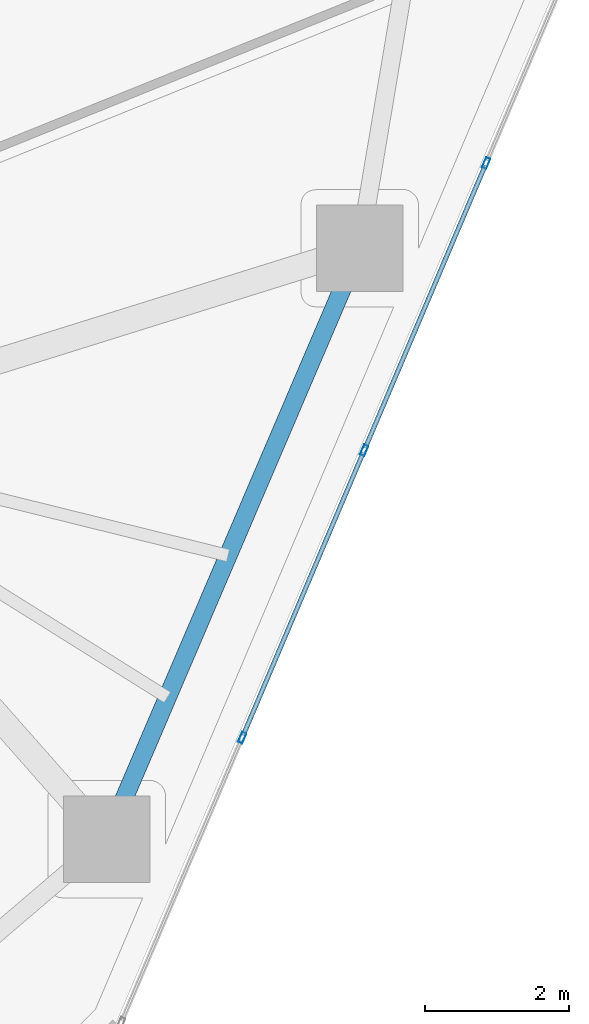
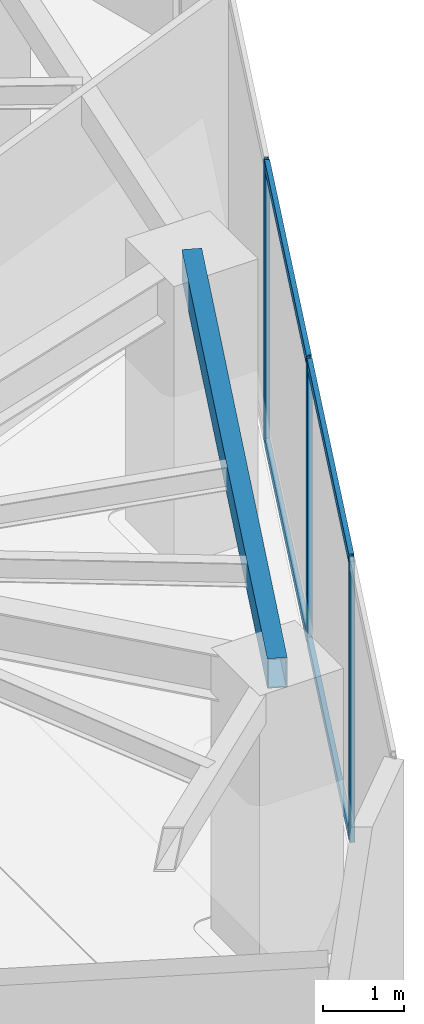
# One storey, part 15 of 28: 7 members, 1 beam, 1 element without a shape of its own.
"""IFC4 building model written with IfcOpenShell, lengths in metres."""

from ifc_helpers import new_model, si_unit, direction, frame, origin, origin_2d, place, context, subcontext, project, spatial, hollow_rectangle, extrude, source, transform, mapped, material, layer, layer_set, material_profile, profile_set, type_object, type_shapes, element, aggregate, save


model = new_model("IFC4")

# Units and contexts
model_context = context("Model", 3, precision=1e-05, world=origin(), true_north=direction((0.0, 1.0)))
body_context = subcontext(model_context, "Body", "Model", "MODEL_VIEW")
ifc_project = project(units=[si_unit("LENGTHUNIT", "METRE"), si_unit("AREAUNIT", "SQUARE_METRE"), si_unit("VOLUMEUNIT", "CUBIC_METRE"), si_unit("PLANEANGLEUNIT", "RADIAN"), si_unit("MASSUNIT", "GRAM", prefix="KILO")], contexts=[model_context])

# Site, building, storey
site_placement = place(None, origin())
site = spatial("IfcSite", under=ifc_project, at=site_placement, CompositionType="ELEMENT")
building_placement = place(site_placement, origin())
building = spatial("IfcBuilding", under=site, at=building_placement, Name="Talar Marvaseh", CompositionType="ELEMENT")
storey_placement = place(building_placement, frame((0.0, 0.0, 157.800048828125)))
storey = spatial("IfcBuildingStorey", under=building, at=storey_placement, Name="L41", CompositionType="ELEMENT", Elevation=157.800048828125)

# Beam
ifc_material_1 = material(Name="Steel S355", Category="steel")
ifc_material_profile_1 = material_profile(ifc_material_1, hollow_rectangle(XDim=0.25, YDim=0.449951171875, WallThickness=0.01611328125, at=origin_2d()), Name="RHS450x250x16")
ifc_profile_set_1 = profile_set([ifc_material_profile_1], Name="Steel S355")
beam_type = type_object("IfcBeamType", Name="Zone 2 Perimeter Spandrel Beam RHS450x250x16", PredefinedType="SPANDREL", material=ifc_profile_set_1)
beam_placement = place(storey_placement, frame((41.708984375, 28.1279296875, 4.02490234375), z_axis=(-0.393369955619, -0.919380268451, 0.0), x_axis=(0.919380268451, -0.393369955619, 0.0)))
element("IfcBeam", 1, at=beam_placement, inside=storey, type_object=beam_type, Name="L41 Zone 2 Perimeter Spandrel Beam RHS450x250x16", PredefinedType="SPANDREL", context=body_context, shape_type="SweptSolid", body=[
    extrude(hollow_rectangle(XDim=0.25, YDim=0.449951171875, WallThickness=0.01611328125, at=origin_2d()), origin(), (0.0, 0.0, 1.0), 8.905029296875),
])

# Curtain wall, members
ifc_material_2 = material(Name="Architectural Aluminium", Category="aluminium")
ifc_layer = layer(ifc_material_2, 0.239990234375)
ifc_layer_set = layer_set([ifc_layer], Name="Architectural Aluminium")
curtain_wall_type = type_object("IfcCurtainWallType", Name="Observation Sky Gallery Structural Glass Wall", PredefinedType="NOTDEFINED", material=ifc_layer_set)
curtain_wall_placement = place(storey_placement, origin())
curtain_wall = element("IfcCurtainWall", 2, at=curtain_wall_placement, inside=storey, type_object=curtain_wall_type, Name="L41 Observation Sky Gallery Structural Glass Wall", PredefinedType="NOTDEFINED")
ifc_material_profile_2 = material_profile(ifc_material_2, hollow_rectangle(XDim=0.06494140625, YDim=0.14990234375, WallThickness=0.00390625, at=origin_2d()), Name="RHS150x65x4")
ifc_profile_set_2 = profile_set([ifc_material_profile_2], Name="Architectural Aluminium")
member_type_1 = type_object("IfcMemberType", Name="Unitised Curtain Wall Slim Mullion RHS150x65x4", PredefinedType="MULLION", material=ifc_profile_set_2)
shared_shape_1 = source(origin(), body_context, "Body", "SweptSolid", [
    extrude(hollow_rectangle(XDim=0.06494140625, YDim=0.14990234375, WallThickness=0.00390625, at=origin_2d()), origin(), (0.0, 0.0, 1.0), 4.25),
])
type_shapes(member_type_1, [shared_shape_1])
member_1_placement = place(storey_placement, frame((43.462890625, 29.30859375, 0.0), z_axis=(0.0, 0.0, 1.0), x_axis=(0.920444238505, -0.390873897571, 0.0)))
member_1 = element("IfcMember", 3, at=member_1_placement, type_object=member_type_1, Name="CW-OBS mullion 3", PredefinedType="MULLION", context=body_context, shape_type="MappedRepresentation", body=[
    mapped(shared_shape_1, transform((0.0, 0.0, 0.0), x_axis=(1.0, 0.0, 0.0), y_axis=(0.0, 1.0, 0.0), z_axis=(0.0, 0.0, 1.0), scale=1.0)),
])
member_2_placement = place(storey_placement, frame((41.772705078125, 25.328857421875, 0.0), z_axis=(0.0, 0.0, 1.0), x_axis=(0.920444238505, -0.390873897571, 0.0)))
member_2 = element("IfcMember", 4, at=member_2_placement, type_object=member_type_1, Name="CW-OBS mullion 4", PredefinedType="MULLION", context=body_context, shape_type="MappedRepresentation", body=[
    mapped(shared_shape_1, transform((0.0, 0.0, 0.0), x_axis=(1.0, 0.0, 0.0), y_axis=(0.0, 1.0, 0.0), z_axis=(0.0, 0.0, 1.0), scale=1.0)),
])
member_3_placement = place(storey_placement, frame((40.082763671875, 21.349365234375, 0.0), z_axis=(0.0, 0.0, 1.0), x_axis=(0.920444238505, -0.390873897571, 0.0)))
member_3 = element("IfcMember", 5, at=member_3_placement, type_object=member_type_1, Name="CW-OBS mullion 5", PredefinedType="MULLION", context=body_context, shape_type="MappedRepresentation", body=[
    mapped(shared_shape_1, transform((0.0, 0.0, 0.0), x_axis=(1.0, 0.0, 0.0), y_axis=(0.0, 1.0, 0.0), z_axis=(0.0, 0.0, 1.0), scale=1.0)),
])
ifc_material_profile_3 = material_profile(ifc_material_2, hollow_rectangle(XDim=0.06494140625, YDim=0.14990234375, WallThickness=0.00390625, at=origin_2d()), Name="RHS150x65x4")
ifc_profile_set_3 = profile_set([ifc_material_profile_3], Name="Architectural Aluminium")
member_type_2 = type_object("IfcMemberType", Name="Unitised Curtain Wall Slim Transom RHS150x65x4", PredefinedType="USERDEFINED", material=ifc_profile_set_3)
shared_shape_2 = source(origin(), body_context, "Body", "SweptSolid", [
    extrude(hollow_rectangle(XDim=0.06494140625, YDim=0.14990234375, WallThickness=0.00390625, at=origin_2d()), origin(), (0.0, 0.0, 1.0), 4.258544921875),
])
type_shapes(member_type_2, [shared_shape_2])
member_4_placement = place(storey_placement, frame((43.4501953125, 29.278564453125, 0.032470703125), z_axis=(-0.390879617395, -0.920441809516, 0.0), x_axis=(0.920441809516, -0.390879617395, 0.0)))
member_4 = element("IfcMember", 6, at=member_4_placement, type_object=member_type_2, Name="CW-OBS transom 3.1", ObjectType="TRANSOM", PredefinedType="USERDEFINED", context=body_context, shape_type="MappedRepresentation", body=[
    mapped(shared_shape_2, transform((0.0, 0.0, 0.0), x_axis=(1.0, 0.0, 0.0), y_axis=(0.0, 1.0, 0.0), z_axis=(0.0, 0.0, 1.0), scale=1.0)),
])
member_5_placement = place(storey_placement, frame((43.4501953125, 29.278564453125, 4.217529296875), z_axis=(-0.390879617395, -0.920441809516, 0.0), x_axis=(0.920441809516, -0.390879617395, 0.0)))
member_5 = element("IfcMember", 7, at=member_5_placement, type_object=member_type_2, Name="CW-OBS transom 3.2", ObjectType="TRANSOM", PredefinedType="USERDEFINED", context=body_context, shape_type="MappedRepresentation", body=[
    mapped(shared_shape_2, transform((0.0, 0.0, 0.0), x_axis=(1.0, 0.0, 0.0), y_axis=(0.0, 1.0, 0.0), z_axis=(0.0, 0.0, 1.0), scale=1.0)),
])
member_6_placement = place(storey_placement, frame((41.760009765625, 25.299072265625, 0.032470703125), z_axis=(-0.390879617395, -0.920441809516, 0.0), x_axis=(0.920441809516, -0.390879617395, 0.0)))
member_6 = element("IfcMember", 8, at=member_6_placement, type_object=member_type_2, Name="CW-OBS transom 4.1", ObjectType="TRANSOM", PredefinedType="USERDEFINED", context=body_context, shape_type="MappedRepresentation", body=[
    mapped(shared_shape_2, transform((0.0, 0.0, 0.0), x_axis=(1.0, 0.0, 0.0), y_axis=(0.0, 1.0, 0.0), z_axis=(0.0, 0.0, 1.0), scale=1.0)),
])
member_7_placement = place(storey_placement, frame((41.760009765625, 25.299072265625, 4.217529296875), z_axis=(-0.390879617395, -0.920441809516, 0.0), x_axis=(0.920441809516, -0.390879617395, 0.0)))
member_7 = element("IfcMember", 9, at=member_7_placement, type_object=member_type_2, Name="CW-OBS transom 4.2", ObjectType="TRANSOM", PredefinedType="USERDEFINED", context=body_context, shape_type="MappedRepresentation", body=[
    mapped(shared_shape_2, transform((0.0, 0.0, 0.0), x_axis=(1.0, 0.0, 0.0), y_axis=(0.0, 1.0, 0.0), z_axis=(0.0, 0.0, 1.0), scale=1.0)),
])
aggregate(curtain_wall, [member_1, member_2, member_3, member_4, member_5, member_6, member_7])

save(model, "model.ifc")
